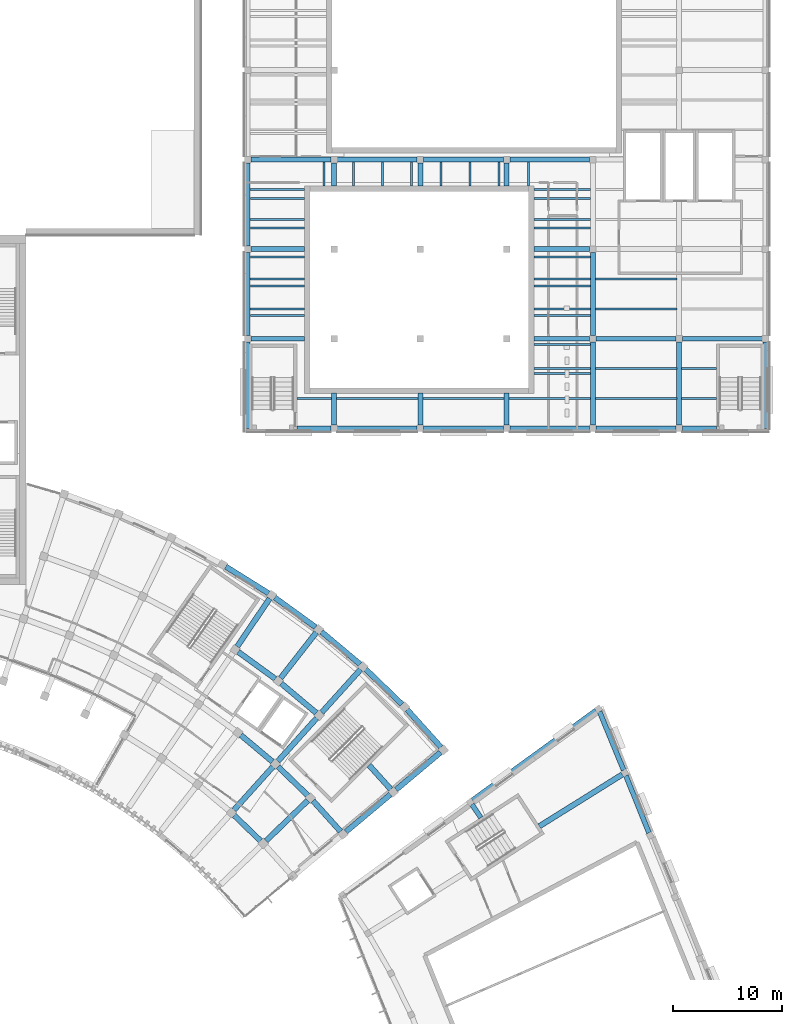
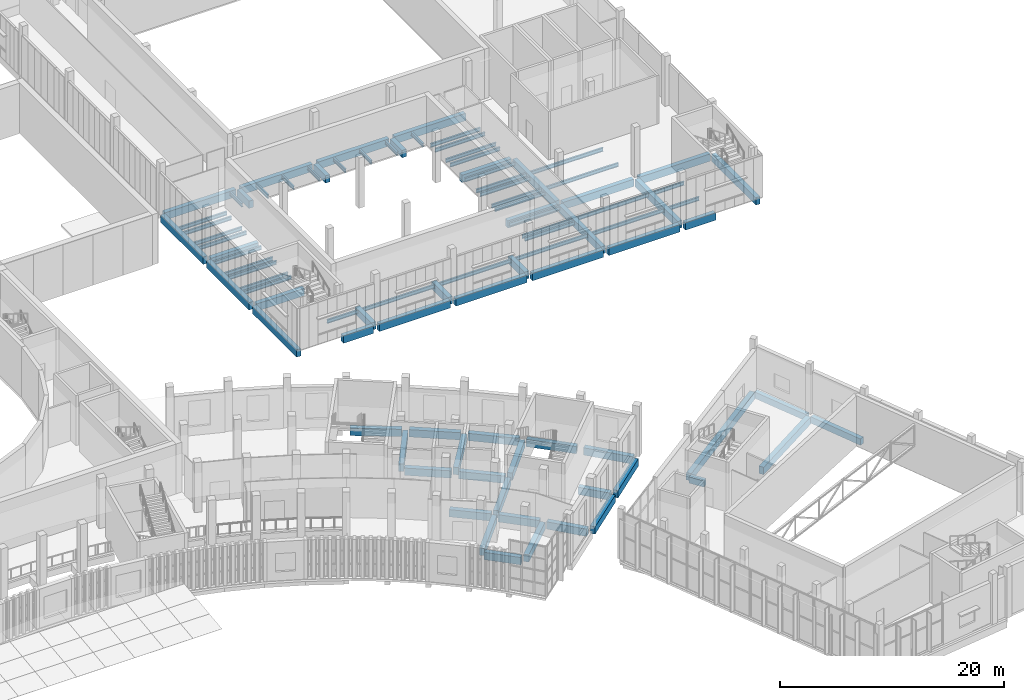
# One storey, part 28 of 112: 93 beams.
"""IFC4 building model written with IfcOpenShell, lengths in metres."""

import ifcopenshell
import ifcopenshell.guid

model = None  # the IFC model being written
_history = None  # IfcOwnerHistory: only IFC2X3 demands one
_inside = {}  # id of a spatial element -> (the spatial element, [elements in it])
_under = {}  # id of a project, library or spatial element -> (it, [spatial elements below it])
_declared = {}  # id of a project -> (the project, [libraries it declares])
_typed = {}  # id of a type object -> (the type object, [elements of that type])
_made_of = {}  # id of a material, layer set ... -> (it, [elements and type objects made of it])


def new_model(schema):
    """Start an empty IFC model of exactly this schema.

    Asked for "IFC4X3", IfcOpenShell would pick the latest addendum, in which some entities
    have other attributes; the version numbers below select the first issue.
    IFC2X3 requires an IfcOwnerHistory on every rooted entity: one is made here for all.
    """
    global model, _history
    if schema == "IFC4X3":
        model = ifcopenshell.file(schema_version=(4, 3, 0, 0))
    else:
        model = ifcopenshell.file(schema=schema)
    _inside.clear()
    _under.clear()
    _declared.clear()
    _typed.clear()
    _made_of.clear()
    _history = None
    if model.schema == "IFC2X3":
        org = make("IfcOrganization", Name="unknown")
        user = make(
            "IfcPersonAndOrganization",
            ThePerson=make("IfcPerson", FamilyName="unknown"),
            TheOrganization=org,
        )
        app = make(
            "IfcApplication",
            ApplicationDeveloper=org,
            Version="unknown",
            ApplicationFullName="unknown",
            ApplicationIdentifier="unknown",
        )
        _history = make(
            "IfcOwnerHistory",
            OwningUser=user,
            OwningApplication=app,
            ChangeAction="ADDED",
            CreationDate=0,
        )
    return model


def make(cls, **values):
    """One entity of the class cls with the attributes given. An attribute that is None is left unset."""
    return model.create_entity(
        cls, **{name: value for name, value in values.items() if value is not None}
    )


def rooted(cls, **values):
    """An entity with a GlobalId (a new one), such as an element, a storey or a relation."""
    return make(cls, GlobalId=ifcopenshell.guid.new(), OwnerHistory=_history, **values)


def si_unit(unit_type, name, prefix=None):
    """IfcSIUnit, for example si_unit("LENGTHUNIT", "METRE", prefix="MILLI")."""
    return make("IfcSIUnit", UnitType=unit_type, Prefix=prefix, Name=name)


def assignment(units):
    """IfcUnitAssignment: the units of a project."""
    return None if units is None else make("IfcUnitAssignment", Units=units)


def point(xyz):
    """IfcCartesianPoint."""
    return None if xyz is None else make("IfcCartesianPoint", Coordinates=xyz)


def direction(xyz):
    """IfcDirection."""
    return None if xyz is None else make("IfcDirection", DirectionRatios=xyz)


def frame(location, z_axis=None, x_axis=None):
    """IfcAxis2Placement3D, a coordinate frame: its origin and axes. An axis left out is left unset."""
    return make(
        "IfcAxis2Placement3D",
        Location=point(location),
        Axis=direction(z_axis),
        RefDirection=direction(x_axis),
    )


def frame_2d(location, x_axis=None):
    """IfcAxis2Placement2D, a coordinate frame in the plane: its origin and x axis."""
    return make(
        "IfcAxis2Placement2D", Location=point(location), RefDirection=direction(x_axis)
    )


def origin():
    """The frame at (0, 0, 0) with its axes left unset."""
    return frame((0.0, 0.0, 0.0))


def origin_2d():
    """The frame at (0, 0) in the plane with its x axis left unset."""
    return frame_2d((0.0, 0.0))


def place(relative_to, where):
    """IfcLocalPlacement: puts the frame where relative to a parent placement (None: the world)."""
    return make(
        "IfcLocalPlacement", PlacementRelTo=relative_to, RelativePlacement=where
    )


def context(
    kind, dimensions, precision=None, world=None, true_north=None, identifier=None
):
    """IfcGeometricRepresentationContext, for example the 3D "Model" context."""
    return make(
        "IfcGeometricRepresentationContext",
        ContextIdentifier=identifier,
        ContextType=kind,
        CoordinateSpaceDimension=dimensions,
        Precision=precision,
        WorldCoordinateSystem=world,
        TrueNorth=true_north,
    )


def subcontext(parent, identifier, kind, view, scale=None):
    """IfcGeometricRepresentationSubContext, for example "Body" below "Model"."""
    return make(
        "IfcGeometricRepresentationSubContext",
        ContextIdentifier=identifier,
        ContextType=kind,
        ParentContext=parent,
        TargetScale=scale,
        TargetView=view,
    )


def project(units=None, contexts=None):
    """IfcProject with its units and contexts."""
    return rooted(
        "IfcProject",
        Name="project",
        RepresentationContexts=contexts,
        UnitsInContext=assignment(units),
    )


def spatial(cls, under=None, at=None, **own):
    """A site, building, storey or space (cls), placed at a placement, below another one or the project."""
    s = rooted(cls, ObjectPlacement=at, **own)
    if under is not None:
        _under.setdefault(under.id(), (under, []))[1].append(s)
    return s


def profile(cls, at=None, kind="AREA", **sizes):
    """A parametric profile (cls). Its sizes go by their IFC names, for example OverallWidth=200.0."""
    return make(cls, ProfileType=kind, Position=at, **sizes)


def rectangle(**sizes):
    """IfcRectangleProfileDef."""
    return profile("IfcRectangleProfileDef", **sizes)


def i_section(**sizes):
    """IfcIShapeProfileDef."""
    return profile("IfcIShapeProfileDef", **sizes)


def extrude(swept, where, along, depth):
    """IfcExtrudedAreaSolid: the profile swept, set in the frame where, extruded along a direction by depth."""
    return make(
        "IfcExtrudedAreaSolid",
        SweptArea=swept,
        Position=where,
        ExtrudedDirection=direction(along),
        Depth=depth,
    )


def shape(context_of_items, identifier, shape_type, items):
    """IfcShapeRepresentation: the items that make up one representation, for example the "Body"."""
    return make(
        "IfcShapeRepresentation",
        ContextOfItems=context_of_items,
        RepresentationIdentifier=identifier,
        RepresentationType=shape_type,
        Items=items,
    )


def material(Name=None, Category=None):
    """IfcMaterial."""
    return make("IfcMaterial", Name=Name, Category=Category)


def material_profile(
    of_material, cross_section, Name=None, Category=None, Priority=None
):
    """IfcMaterialProfile: a cross section and its material."""
    return make(
        "IfcMaterialProfile",
        Name=Name,
        Material=of_material,
        Profile=cross_section,
        Priority=Priority,
        Category=Category,
    )


def profile_set(profiles, Name=None, composite=None):
    """IfcMaterialProfileSet."""
    return make(
        "IfcMaterialProfileSet",
        Name=Name,
        MaterialProfiles=profiles,
        CompositeProfile=composite,
    )


def made_of(thing, what):
    """Note that an element or type object is made of a material, layer set ...; save() writes the relation."""
    if what is not None:
        _made_of.setdefault(what.id(), (what, []))[1].append(thing)
    return thing


def type_object(cls, material=None, **own):
    """A type object (cls), such as IfcWallType, which elements share."""
    return made_of(rooted(cls, **own), material)


def element(
    cls,
    number,
    at=None,
    inside=None,
    cuts=None,
    type_object=None,
    material=None,
    context=None,
    identifier="Body",
    shape_type=None,
    held_by="IfcProductDefinitionShape",
    body=None,
    shapes=None,
    **own,
):
    """One element of the class cls, such as IfcWall. Its Tag is "e" and its number.

    at: its placement. inside: the storey or other place that contains it. cuts: it is an
    opening in that element (IfcRelVoidsElement). A single representation is given by context,
    identifier, shape_type and body (its items); several are given by shapes. held_by: the class
    of the entity that holds the representations. save() writes the other relations.
    """
    e = rooted(cls, Tag="e%d" % number, ObjectPlacement=at, **own)
    if body is not None:
        shapes = [shape(context, identifier, shape_type, body)]
    if shapes is not None:
        e.Representation = make(held_by, Representations=shapes)
    if inside is not None:
        _inside.setdefault(inside.id(), (inside, []))[1].append(e)
    if cuts is not None:
        rooted(
            "IfcRelVoidsElement", RelatingBuildingElement=cuts, RelatedOpeningElement=e
        )
    if type_object is not None:
        _typed.setdefault(type_object.id(), (type_object, []))[1].append(e)
    return made_of(e, material)


def aggregate(whole, parts):
    """IfcRelAggregates: a whole, such as a stair, and the parts it consists of."""
    return rooted("IfcRelAggregates", RelatingObject=whole, RelatedObjects=parts)


def save(model, path):
    """Write the relations noted so far, then the file.

    IfcRelAggregates (storeys below a building ...), IfcRelContainedInSpatialStructure (elements
    in a storey), IfcRelDefinesByType, IfcRelAssociatesMaterial and IfcRelDeclares: one each for
    every whole, place, type object, material and project.
    """
    for whole, parts in _under.values():
        aggregate(whole, parts)
    for where, things in _inside.values():
        rooted(
            "IfcRelContainedInSpatialStructure",
            RelatedElements=things,
            RelatingStructure=where,
        )
    for kind, things in _typed.values():
        rooted("IfcRelDefinesByType", RelatedObjects=things, RelatingType=kind)
    for what, things in _made_of.values():
        rooted("IfcRelAssociatesMaterial", RelatedObjects=things, RelatingMaterial=what)
    for by, libraries in _declared.values():
        rooted("IfcRelDeclares", RelatingContext=by, RelatedDefinitions=libraries)
    model.write(path)


model = new_model("IFC4")

# Units and contexts
model_context = context("Model", 3, precision=1e-05, world=origin(), true_north=direction((0.0, 1.0)))
body_context = subcontext(model_context, "Body", "Model", "MODEL_VIEW")
ifc_project = project(units=[si_unit("LENGTHUNIT", "METRE"), si_unit("AREAUNIT", "SQUARE_METRE"), si_unit("VOLUMEUNIT", "CUBIC_METRE"), si_unit("PLANEANGLEUNIT", "RADIAN"), si_unit("MASSUNIT", "GRAM", prefix="KILO")], contexts=[model_context])

# Site, building, storey
site_placement = place(None, origin())
site = spatial("IfcSite", under=ifc_project, at=site_placement, CompositionType="ELEMENT")
building_placement = place(site_placement, origin())
building = spatial("IfcBuilding", under=site, at=building_placement, Name="Lunette Opera House", CompositionType="ELEMENT")
storey_placement = place(building_placement, frame((0.0, 0.0, 6.0)))
storey = spatial("IfcBuildingStorey", under=building, at=storey_placement, Name="L01", CompositionType="ELEMENT", Elevation=6.0)

# Beams
ifc_material_1 = material(Name="Concrete C35/45", Category="concrete")
ifc_material_profile_1 = material_profile(ifc_material_1, rectangle(XDim=0.449951171875, YDim=0.699951171875, at=origin_2d()), Name="RC BEAM 450X700")
ifc_profile_set_1 = profile_set([ifc_material_profile_1], Name="Concrete C35/45")
beam_type_1 = type_object("IfcBeamType", Name="RC BEAM 450X700", PredefinedType="BEAM", material=ifc_profile_set_1)
beam_1_placement = place(storey_placement, frame((156.823974609375, 43.864013671875, -0.570068359375), z_axis=(0.559555526977, -0.82879286449, 0.0), x_axis=(0.82879286449, 0.559555526977, 0.0)))
element("IfcBeam", 1, at=beam_1_placement, inside=storey, type_object=beam_type_1, Name="beam-SB-L01-L01-RG10", PredefinedType="BEAM", context=body_context, shape_type="SweptSolid", body=[
    extrude(rectangle(XDim=0.449951171875, YDim=0.699951171875, at=origin_2d()), origin(), (0.0, 0.0, 1.0), 1.470703125),
])
beam_2_placement = place(storey_placement, frame((168.508056640625, 52.362060546875, -0.570068359375), z_axis=(0.380730757581, -0.924685941405, 0.0), x_axis=(0.924685941405, 0.380730757581, 0.0)))
element("IfcBeam", 2, at=beam_2_placement, inside=storey, type_object=beam_type_1, Name="beam-SB-L01-L01-RG20", PredefinedType="BEAM", context=body_context, shape_type="SweptSolid", body=[
    extrude(rectangle(XDim=0.449951171875, YDim=0.699951171875, at=origin_2d()), origin(), (0.0, 0.0, 1.0), 5.802001953125),
])
beam_3_placement = place(storey_placement, frame((170.91796875, 46.506103515625, -0.570068359375), z_axis=(0.373792337648, -0.927512419494, 0.0), x_axis=(0.927512419494, 0.373792337648, 0.0)))
element("IfcBeam", 3, at=beam_3_placement, inside=storey, type_object=beam_type_1, Name="beam-SB-L01-L01-RG21", PredefinedType="BEAM", context=body_context, shape_type="SweptSolid", body=[
    extrude(rectangle(XDim=0.449951171875, YDim=0.699951171875, at=origin_2d()), origin(), (0.0, 0.0, 1.0), 5.658203125),
])
ifc_material_2 = material(Name="Concrete C35/45", Category="concrete")
ifc_material_profile_2 = material_profile(ifc_material_2, rectangle(XDim=0.449951171875, YDim=0.800048828125, at=origin_2d()), Name="RC BEAM 450X800")
ifc_profile_set_2 = profile_set([ifc_material_profile_2], Name="Concrete C35/45")
beam_type_2 = type_object("IfcBeamType", Name="RC BEAM 450X800", PredefinedType="BEAM", material=ifc_profile_set_2)
beam_4_placement = place(storey_placement, frame((136.300048828125, 78.300048828125, -0.550048828125), z_axis=(0.0, 1.0, 0.0), x_axis=(-1.0, 0.0, 0.0)))
element("IfcBeam", 4, at=beam_4_placement, inside=storey, type_object=beam_type_2, Name="beam-WW-L01-L01-GY00", PredefinedType="BEAM", context=body_context, shape_type="SweptSolid", body=[
    extrude(rectangle(XDim=0.449951171875, YDim=0.800048828125, at=origin_2d()), origin(), (0.0, 0.0, 1.0), 7.909912109375),
])
beam_5_placement = place(storey_placement, frame((136.300048828125, 86.7900390625, -0.550048828125), z_axis=(0.0, 1.0, 0.0), x_axis=(-1.0, 0.0, 0.0)))
element("IfcBeam", 5, at=beam_5_placement, inside=storey, type_object=beam_type_2, Name="beam-WW-L01-L01-GY01", PredefinedType="BEAM", context=body_context, shape_type="SweptSolid", body=[
    extrude(rectangle(XDim=0.449951171875, YDim=0.800048828125, at=origin_2d()), origin(), (0.0, 0.0, 1.0), 7.619873046875),
])
beam_6_placement = place(storey_placement, frame((136.300048828125, 94.989990234375, -0.550048828125), z_axis=(0.0, 1.0, 0.0), x_axis=(-1.0, 0.0, 0.0)))
element("IfcBeam", 6, at=beam_6_placement, inside=storey, type_object=beam_type_2, Name="beam-WW-L01-L01-GY02", PredefinedType="BEAM", context=body_context, shape_type="SweptSolid", body=[
    extrude(rectangle(XDim=0.449951171875, YDim=0.800048828125, at=origin_2d()), origin(), (0.0, 0.0, 1.0), 7.6201171875),
])
beam_7_placement = place(storey_placement, frame((144.199951171875, 78.590087890625, -0.550048828125), z_axis=(0.0, 1.0, 0.0), x_axis=(-1.0, 0.0, 0.0)))
element("IfcBeam", 7, at=beam_7_placement, inside=storey, type_object=beam_type_2, Name="beam-WW-L01-L01-GY10", PredefinedType="BEAM", context=body_context, shape_type="SweptSolid", body=[
    extrude(rectangle(XDim=0.449951171875, YDim=0.800048828125, at=origin_2d()), origin(), (0.0, 0.0, 1.0), 2.919921875),
])
beam_8_placement = place(storey_placement, frame((144.199951171875, 100.489990234375, -0.550048828125), z_axis=(0.0, 1.0, 0.0), x_axis=(-1.0, 0.0, 0.0)))
element("IfcBeam", 8, at=beam_8_placement, inside=storey, type_object=beam_type_2, Name="beam-WW-L01-L01-GY12", PredefinedType="BEAM", context=body_context, shape_type="SweptSolid", body=[
    extrude(rectangle(XDim=0.449951171875, YDim=0.800048828125, at=origin_2d()), origin(), (0.0, 0.0, 1.0), 2.1201171875),
])
beam_9_placement = place(storey_placement, frame((152.10009765625, 78.590087890625, -0.550048828125), z_axis=(0.0, 1.0, 0.0), x_axis=(-1.0, 0.0, 0.0)))
element("IfcBeam", 9, at=beam_9_placement, inside=storey, type_object=beam_type_2, Name="beam-WW-L01-L01-GY20", PredefinedType="BEAM", context=body_context, shape_type="SweptSolid", body=[
    extrude(rectangle(XDim=0.449951171875, YDim=0.800048828125, at=origin_2d()), origin(), (0.0, 0.0, 1.0), 2.919921875),
])
beam_10_placement = place(storey_placement, frame((152.10009765625, 100.489990234375, -0.550048828125), z_axis=(0.0, 1.0, 0.0), x_axis=(-1.0, 0.0, 0.0)))
element("IfcBeam", 10, at=beam_10_placement, inside=storey, type_object=beam_type_2, Name="beam-WW-L01-L01-GY22", PredefinedType="BEAM", context=body_context, shape_type="SweptSolid", body=[
    extrude(rectangle(XDim=0.449951171875, YDim=0.800048828125, at=origin_2d()), origin(), (0.0, 0.0, 1.0), 2.1201171875),
])
beam_11_placement = place(storey_placement, frame((160.0, 78.590087890625, -0.550048828125), z_axis=(0.0, 1.0, 0.0), x_axis=(-1.0, 0.0, 0.0)))
element("IfcBeam", 11, at=beam_11_placement, inside=storey, type_object=beam_type_2, Name="beam-WW-L01-L01-GY30", PredefinedType="BEAM", context=body_context, shape_type="SweptSolid", body=[
    extrude(rectangle(XDim=0.449951171875, YDim=0.800048828125, at=origin_2d()), origin(), (0.0, 0.0, 1.0), 2.919921875),
])
beam_12_placement = place(storey_placement, frame((160.0, 100.489990234375, -0.550048828125), z_axis=(0.0, 1.0, 0.0), x_axis=(-1.0, 0.0, 0.0)))
element("IfcBeam", 12, at=beam_12_placement, inside=storey, type_object=beam_type_2, Name="beam-WW-L01-L01-GY32", PredefinedType="BEAM", context=body_context, shape_type="SweptSolid", body=[
    extrude(rectangle(XDim=0.449951171875, YDim=0.800048828125, at=origin_2d()), origin(), (0.0, 0.0, 1.0), 2.1201171875),
])
for number, where, z_axis, x_axis, name in (
    (13, (167.89990234375, 78.590087890625, -0.550048828125), (0.0, 1.0, 0.0), (-1.0, 0.0, 0.0), "beam-WW-L01-L01-GY40"),
    (14, (167.89990234375, 86.7900390625, -0.550048828125), (0.0, 1.0, 0.0), (-1.0, 0.0, 0.0), "beam-WW-L01-L01-GY41"),
    (15, (175.800048828125, 78.590087890625, -0.550048828125), (0.0, 1.0, 0.0), (-1.0, 0.0, 0.0), "beam-WW-L01-L01-GY50"),
):
    element("IfcBeam", number, at=place(storey_placement, frame(where, z_axis=z_axis, x_axis=x_axis)), inside=storey, type_object=beam_type_2, Name=name, PredefinedType="BEAM", context=body_context, shape_type="SweptSolid", body=[
        extrude(rectangle(XDim=0.449951171875, YDim=0.800048828125, at=origin_2d()), origin(), (0.0, 0.0, 1.0), 7.619873046875),
    ])
beam_13_placement = place(storey_placement, frame((183.699951171875, 78.300048828125, -0.550048828125), z_axis=(0.0, 1.0, 0.0), x_axis=(-1.0, 0.0, 0.0)))
element("IfcBeam", 16, at=beam_13_placement, inside=storey, type_object=beam_type_2, Name="beam-WW-L01-L01-GY60", PredefinedType="BEAM", context=body_context, shape_type="SweptSolid", body=[
    extrude(rectangle(XDim=0.449951171875, YDim=0.800048828125, at=origin_2d()), origin(), (0.0, 0.0, 1.0), 7.909912109375),
])
beam_14_placement = place(storey_placement, frame((140.7900390625, 78.300048828125, -0.550048828125), z_axis=(1.0, 0.0, 0.0), x_axis=(0.0, 1.0, 0.0)))
element("IfcBeam", 17, at=beam_14_placement, inside=storey, type_object=beam_type_2, Name="beam-WW-L01-L01-GX00", PredefinedType="BEAM", context=body_context, shape_type="SweptSolid", body=[
    extrude(rectangle(XDim=0.449951171875, YDim=0.800048828125, at=origin_2d()), origin(), (0.0, 0.0, 1.0), 3.119873046875),
])
for number, where, z_axis, x_axis, name in (
    (18, (144.489990234375, 78.300048828125, -0.550048828125), (1.0, 0.0, 0.0), (0.0, 1.0, 0.0), "beam-WW-L01-L01-GX10"),
    (19, (152.389892578125, 78.300048828125, -0.550048828125), (1.0, 0.0, 0.0), (0.0, 1.0, 0.0), "beam-WW-L01-L01-GX20"),
    (20, (160.2900390625, 78.300048828125, -0.550048828125), (1.0, 0.0, 0.0), (0.0, 1.0, 0.0), "beam-WW-L01-L01-GX30"),
    (21, (168.18994140625, 78.300048828125, -0.550048828125), (1.0, 0.0, 0.0), (0.0, 1.0, 0.0), "beam-WW-L01-L01-GX40"),
):
    element("IfcBeam", number, at=place(storey_placement, frame(where, z_axis=z_axis, x_axis=x_axis)), inside=storey, type_object=beam_type_2, Name=name, PredefinedType="BEAM", context=body_context, shape_type="SweptSolid", body=[
        extrude(rectangle(XDim=0.449951171875, YDim=0.800048828125, at=origin_2d()), origin(), (0.0, 0.0, 1.0), 7.320068359375),
    ])
beam_15_placement = place(storey_placement, frame((176.090087890625, 78.300048828125, -0.550048828125), z_axis=(1.0, 0.0, 0.0), x_axis=(0.0, 1.0, 0.0)))
element("IfcBeam", 22, at=beam_15_placement, inside=storey, type_object=beam_type_2, Name="beam-WW-L01-L01-GX50", PredefinedType="BEAM", context=body_context, shape_type="SweptSolid", body=[
    extrude(rectangle(XDim=0.449951171875, YDim=0.800048828125, at=origin_2d()), origin(), (0.0, 0.0, 1.0), 3.119873046875),
])
beam_16_placement = place(storey_placement, frame((136.590087890625, 86.5, -0.550048828125), z_axis=(1.0, 0.0, 0.0), x_axis=(0.0, 1.0, 0.0)))
element("IfcBeam", 23, at=beam_16_placement, inside=storey, type_object=beam_type_2, Name="beam-WW-L01-L01-GX01", PredefinedType="BEAM", context=body_context, shape_type="SweptSolid", body=[
    extrude(rectangle(XDim=0.449951171875, YDim=0.800048828125, at=origin_2d()), origin(), (0.0, 0.0, 1.0), 4.919921875),
])
beam_17_placement = place(storey_placement, frame((162.489990234375, 86.5, -0.550048828125), z_axis=(1.0, 0.0, 0.0), x_axis=(0.0, 1.0, 0.0)))
element("IfcBeam", 24, at=beam_17_placement, inside=storey, type_object=beam_type_2, Name="beam-WW-L01-L01-GX31", PredefinedType="BEAM", context=body_context, shape_type="SweptSolid", body=[
    extrude(rectangle(XDim=0.449951171875, YDim=0.800048828125, at=origin_2d()), origin(), (0.0, 0.0, 1.0), 5.1201171875),
])
beam_18_placement = place(storey_placement, frame((168.18994140625, 86.5, -0.550048828125), z_axis=(1.0, 0.0, 0.0), x_axis=(0.0, 1.0, 0.0)))
element("IfcBeam", 25, at=beam_18_placement, inside=storey, type_object=beam_type_2, Name="beam-WW-L01-L01-GX41", PredefinedType="BEAM", context=body_context, shape_type="SweptSolid", body=[
    extrude(rectangle(XDim=0.449951171875, YDim=0.800048828125, at=origin_2d()), origin(), (0.0, 0.0, 1.0), 7.320068359375),
])
beam_19_placement = place(storey_placement, frame((176.090087890625, 86.5, -0.550048828125), z_axis=(1.0, 0.0, 0.0), x_axis=(0.0, 1.0, 0.0)))
element("IfcBeam", 26, at=beam_19_placement, inside=storey, type_object=beam_type_2, Name="beam-WW-L01-L01-GX51", PredefinedType="BEAM", context=body_context, shape_type="SweptSolid", body=[
    extrude(rectangle(XDim=0.449951171875, YDim=0.800048828125, at=origin_2d()), origin(), (0.0, 0.0, 1.0), 7.31982421875),
])
beam_20_placement = place(storey_placement, frame((136.590087890625, 94.699951171875, -0.550048828125), z_axis=(1.0, 0.0, 0.0), x_axis=(0.0, 1.0, 0.0)))
element("IfcBeam", 27, at=beam_20_placement, inside=storey, type_object=beam_type_2, Name="beam-WW-L01-L01-GX02", PredefinedType="BEAM", context=body_context, shape_type="SweptSolid", body=[
    extrude(rectangle(XDim=0.449951171875, YDim=0.800048828125, at=origin_2d()), origin(), (0.0, 0.0, 1.0), 4.919921875),
])
beam_21_placement = place(storey_placement, frame((162.489990234375, 94.699951171875, -0.550048828125), z_axis=(1.0, 0.0, 0.0), x_axis=(0.0, 1.0, 0.0)))
element("IfcBeam", 28, at=beam_21_placement, inside=storey, type_object=beam_type_2, Name="beam-WW-L01-L01-GX32", PredefinedType="BEAM", context=body_context, shape_type="SweptSolid", body=[
    extrude(rectangle(XDim=0.449951171875, YDim=0.800048828125, at=origin_2d()), origin(), (0.0, 0.0, 1.0), 5.1201171875),
])
beam_22_placement = place(storey_placement, frame((136.590087890625, 102.89990234375, -0.550048828125), z_axis=(1.0, 0.0, 0.0), x_axis=(0.0, 1.0, 0.0)))
element("IfcBeam", 29, at=beam_22_placement, inside=storey, type_object=beam_type_2, Name="beam-WW-L01-L01-GX03", PredefinedType="BEAM", context=body_context, shape_type="SweptSolid", body=[
    extrude(rectangle(XDim=0.449951171875, YDim=0.800048828125, at=origin_2d()), origin(), (0.0, 0.0, 1.0), 7.31982421875),
])
for number, where, z_axis, x_axis, name in (
    (30, (144.489990234375, 102.89990234375, -0.550048828125), (1.0, 0.0, 0.0), (0.0, 1.0, 0.0), "beam-WW-L01-L01-GX13"),
    (31, (152.389892578125, 102.89990234375, -0.550048828125), (1.0, 0.0, 0.0), (0.0, 1.0, 0.0), "beam-WW-L01-L01-GX23"),
    (32, (160.2900390625, 102.89990234375, -0.550048828125), (1.0, 0.0, 0.0), (0.0, 1.0, 0.0), "beam-WW-L01-L01-GX33"),
):
    element("IfcBeam", number, at=place(storey_placement, frame(where, z_axis=z_axis, x_axis=x_axis)), inside=storey, type_object=beam_type_2, Name=name, PredefinedType="BEAM", context=body_context, shape_type="SweptSolid", body=[
        extrude(rectangle(XDim=0.449951171875, YDim=0.800048828125, at=origin_2d()), origin(), (0.0, 0.0, 1.0), 7.320068359375),
    ])
ifc_material_3 = material(Name="Concrete C35/45", Category="concrete")
ifc_material_profile_3 = material_profile(ifc_material_3, rectangle(XDim=0.5, YDim=0.800048828125, at=origin_2d()), Name="RC BEAM 500X800")
ifc_profile_set_3 = profile_set([ifc_material_profile_3], Name="Concrete C35/45")
beam_type_3 = type_object("IfcBeamType", Name="RC BEAM 500X800", PredefinedType="BEAM", material=ifc_profile_set_3)
for number, where, z_axis, x_axis, name in (
    (33, (135.333984375, 58.31494140625, -0.6201171875), (0.559245834689, 0.829001867539, 0.0), (-0.829001867539, 0.559245834689, 0.0), "beam-FC-L01-L01-RB-RL-22-4"),
    (34, (139.305908203125, 55.428955078125, -0.6201171875), (0.615648494847, 0.788020894896, 0.0), (-0.788020894896, 0.615648494847, 0.0), "beam-FC-L01-L01-RB-RL-23-4"),
):
    element("IfcBeam", number, at=place(storey_placement, frame(where, z_axis=z_axis, x_axis=x_axis)), inside=storey, type_object=beam_type_3, Name=name, PredefinedType="BEAM", context=body_context, shape_type="SweptSolid", body=[
        extrude(rectangle(XDim=0.5, YDim=0.800048828125, at=origin_2d()), origin(), (0.0, 0.0, 1.0), 5.31982421875),
    ])
beam_23_placement = place(storey_placement, frame((135.037109375, 43.35498046875, -0.6201171875), z_axis=(0.669081342806, 0.743189179623, 0.0), x_axis=(-0.743189179623, 0.669081342806, 0.0)))
element("IfcBeam", 35, at=beam_23_placement, inside=storey, type_object=beam_type_3, Name="beam-FC-L01-L01-RB-RL-24-2", PredefinedType="BEAM", context=body_context, shape_type="SweptSolid", body=[
    extrude(rectangle(XDim=0.5, YDim=0.800048828125, at=origin_2d()), origin(), (0.0, 0.0, 1.0), 5.320556640625),
])
beam_24_placement = place(storey_placement, frame((139.052001953125, 47.81396484375, -0.6201171875), z_axis=(0.66919796217, 0.743084172505, 0.0), x_axis=(-0.743084172505, 0.66919796217, 0.0)))
element("IfcBeam", 36, at=beam_24_placement, inside=storey, type_object=beam_type_3, Name="beam-FC-L01-L01-RB-RL-24-3", PredefinedType="BEAM", context=body_context, shape_type="SweptSolid", body=[
    extrude(rectangle(XDim=0.5, YDim=0.800048828125, at=origin_2d()), origin(), (0.0, 0.0, 1.0), 5.31982421875),
])
beam_25_placement = place(storey_placement, frame((143.06689453125, 52.27294921875, -0.6201171875), z_axis=(0.669096581874, 0.743175459851, 0.0), x_axis=(-0.743175459851, 0.669096581874, 0.0)))
element("IfcBeam", 37, at=beam_25_placement, inside=storey, type_object=beam_type_3, Name="beam-FC-L01-L01-RB-RL-24-4", PredefinedType="BEAM", context=body_context, shape_type="SweptSolid", body=[
    extrude(rectangle(XDim=0.5, YDim=0.800048828125, at=origin_2d()), origin(), (0.0, 0.0, 1.0), 5.3193359375),
])
beam_26_placement = place(storey_placement, frame((137.966064453125, 40.52587890625, -0.6201171875), z_axis=(0.719297872313, 0.694701785579, 0.0), x_axis=(-0.694701785579, 0.719297872313, 0.0)))
element("IfcBeam", 38, at=beam_26_placement, inside=storey, type_object=beam_type_3, Name="beam-FC-L01-L01-RB-RL-25-2", PredefinedType="BEAM", context=body_context, shape_type="SweptSolid", body=[
    extrude(rectangle(XDim=0.5, YDim=0.800048828125, at=origin_2d()), origin(), (0.0, 0.0, 1.0), 5.3203125),
])
beam_27_placement = place(storey_placement, frame((145.287109375, 41.35693359375, -0.6201171875), z_axis=(0.76603920911, 0.642793847285, 0.0), x_axis=(-0.642793847285, 0.76603920911, 0.0)))
element("IfcBeam", 39, at=beam_27_placement, inside=storey, type_object=beam_type_3, Name="beam-FC-L01-L01-RB-RL-26-3", PredefinedType="BEAM", context=body_context, shape_type="SweptSolid", body=[
    extrude(rectangle(XDim=0.5, YDim=0.800048828125, at=origin_2d()), origin(), (0.0, 0.0, 1.0), 5.32080078125),
])
beam_28_placement = place(storey_placement, frame((149.884033203125, 45.214111328125, -0.6201171875), z_axis=(0.766076352309, 0.642749579878, 0.0), x_axis=(-0.642749579878, 0.766076352309, 0.0)))
element("IfcBeam", 40, at=beam_28_placement, inside=storey, type_object=beam_type_3, Name="beam-FC-L01-L01-RB-RL-26-4", PredefinedType="BEAM", context=body_context, shape_type="SweptSolid", body=[
    extrude(rectangle(XDim=0.5, YDim=0.800048828125, at=origin_2d()), origin(), (0.0, 0.0, 1.0), 5.3193359375),
])
beam_29_placement = place(storey_placement, frame((135.054931640625, 42.865966796875, -0.6201171875), z_axis=(0.719180338661, -0.69482345994, 0.0), x_axis=(0.69482345994, 0.719180338661, 0.0)))
element("IfcBeam", 41, at=beam_29_placement, inside=storey, type_object=beam_type_3, Name="beam-FC-L01-L01-RG-AR-M1-RL-24", PredefinedType="BEAM", context=body_context, shape_type="SweptSolid", body=[
    extrude(rectangle(XDim=0.5, YDim=0.800048828125, at=origin_2d()), origin(), (0.0, 0.0, 1.0), 3.367919921875),
])
beam_30_placement = place(storey_placement, frame((135.6630859375, 50.214111328125, -0.6201171875), z_axis=(0.76594363351, -0.642907730771, 0.0), x_axis=(0.642907730771, 0.76594363351, 0.0)))
element("IfcBeam", 42, at=beam_30_placement, inside=storey, type_object=beam_type_3, Name="beam-FC-L01-L01-RG-AR-B-RL-23", PredefinedType="BEAM", context=body_context, shape_type="SweptSolid", body=[
    extrude(rectangle(XDim=0.5, YDim=0.800048828125, at=origin_2d()), origin(), (0.0, 0.0, 1.0), 3.7861328125),
])
beam_31_placement = place(storey_placement, frame((139.069091796875, 47.324951171875, -0.6201171875), z_axis=(0.719281477896, -0.694718760043, 0.0), x_axis=(0.694718760043, 0.719281477896, 0.0)))
element("IfcBeam", 43, at=beam_31_placement, inside=storey, type_object=beam_type_3, Name="beam-FC-L01-L01-RG-AR-B-RL-24", PredefinedType="BEAM", context=body_context, shape_type="SweptSolid", body=[
    extrude(rectangle(XDim=0.5, YDim=0.800048828125, at=origin_2d()), origin(), (0.0, 0.0, 1.0), 3.786865234375),
])
beam_32_placement = place(storey_placement, frame((142.26611328125, 44.205078125, -0.6201171875), z_axis=(0.669021732106, -0.743242841856, 0.0), x_axis=(0.743242841856, 0.669021732106, 0.0)))
element("IfcBeam", 44, at=beam_32_placement, inside=storey, type_object=beam_type_3, Name="beam-FC-L01-L01-RG-AR-B-RL-25", PredefinedType="BEAM", context=body_context, shape_type="SweptSolid", body=[
    extrude(rectangle(XDim=0.5, YDim=0.800048828125, at=origin_2d()), origin(), (0.0, 0.0, 1.0), 3.7861328125),
])
beam_33_placement = place(storey_placement, frame((135.4189453125, 57.8330078125, -0.6201171875), z_axis=(0.8089996052, -0.587809185694, 0.0), x_axis=(0.587809185694, 0.8089996052, 0.0)))
element("IfcBeam", 45, at=beam_33_placement, inside=storey, type_object=beam_type_3, Name="beam-FC-L01-L01-RG-AR-M2-RL-22", PredefinedType="BEAM", context=body_context, shape_type="SweptSolid", body=[
    extrude(rectangle(XDim=0.5, YDim=0.800048828125, at=origin_2d()), origin(), (0.0, 0.0, 1.0), 4.205322265625),
])
beam_34_placement = place(storey_placement, frame((139.35693359375, 54.94189453125, -0.6201171875), z_axis=(0.766022755014, -0.642813455678, 0.0), x_axis=(0.642813455678, 0.766022755014, 0.0)))
element("IfcBeam", 46, at=beam_34_placement, inside=storey, type_object=beam_type_3, Name="beam-FC-L01-L01-RG-AR-M2-RL-23", PredefinedType="BEAM", context=body_context, shape_type="SweptSolid", body=[
    extrude(rectangle(XDim=0.5, YDim=0.800048828125, at=origin_2d()), origin(), (0.0, 0.0, 1.0), 4.204833984375),
])
beam_35_placement = place(storey_placement, frame((147.405029296875, 47.458984375, -0.6201171875), z_axis=(0.6689919383, -0.743269659336, 0.0), x_axis=(0.743269659336, 0.6689919383, 0.0)))
element("IfcBeam", 47, at=beam_35_placement, inside=storey, type_object=beam_type_3, Name="beam-FC-L01-L01-RG-AR-M2-RL-25", PredefinedType="BEAM", context=body_context, shape_type="SweptSolid", body=[
    extrude(rectangle(XDim=0.5, YDim=0.800048828125, at=origin_2d()), origin(), (0.0, 0.0, 1.0), 2.974609375),
])
for number, where, z_axis, x_axis, name in (
    (48, (134.2890625, 65.637939453125, -0.6201171875), (0.847962706809, -0.530055891261, 0.0), (0.530055891261, 0.847962706809, 0.0), "beam-FC-L01-L01-RG-AR-C-RL-21"),
    (49, (138.77392578125, 62.806884765625, -0.6201171875), (0.809037359893, -0.58775722054, 0.0), (0.58775722054, 0.809037359893, 0.0), "beam-FC-L01-L01-RG-AR-C-RL-22"),
):
    element("IfcBeam", number, at=place(storey_placement, frame(where, z_axis=z_axis, x_axis=x_axis)), inside=storey, type_object=beam_type_3, Name=name, PredefinedType="BEAM", context=body_context, shape_type="SweptSolid", body=[
        extrude(rectangle(XDim=0.5, YDim=0.800048828125, at=origin_2d()), origin(), (0.0, 0.0, 1.0), 4.6240234375),
    ])
beam_36_placement = place(storey_placement, frame((143.051025390625, 59.669921875, -0.6201171875), z_axis=(0.766061536692, -0.64276723781, 0.0), x_axis=(0.64276723781, 0.766061536692, 0.0)))
element("IfcBeam", 50, at=beam_36_placement, inside=storey, type_object=beam_type_3, Name="beam-FC-L01-L01-RG-AR-C-RL-23", PredefinedType="BEAM", context=body_context, shape_type="SweptSolid", body=[
    extrude(rectangle(XDim=0.5, YDim=0.800048828125, at=origin_2d()), origin(), (0.0, 0.0, 1.0), 4.62353515625),
])
beam_37_placement = place(storey_placement, frame((147.09912109375, 56.242919921875, -0.6201171875), z_axis=(0.719223136798, -0.694779158794, 0.0), x_axis=(0.694779158794, 0.719223136798, 0.0)))
element("IfcBeam", 51, at=beam_37_placement, inside=storey, type_object=beam_type_3, Name="beam-FC-L01-L01-RG-AR-C-RL-24", PredefinedType="BEAM", context=body_context, shape_type="SweptSolid", body=[
    extrude(rectangle(XDim=0.5, YDim=0.800048828125, at=origin_2d()), origin(), (0.0, 0.0, 1.0), 4.624267578125),
])
beam_38_placement = place(storey_placement, frame((150.89794921875, 52.541015625, -0.6201171875), z_axis=(0.669034751379, -0.743231122496, 0.0), x_axis=(0.743231122496, 0.669034751379, 0.0)))
element("IfcBeam", 52, at=beam_38_placement, inside=storey, type_object=beam_type_3, Name="beam-FC-L01-L01-RG-AR-C-RL-25", PredefinedType="BEAM", context=body_context, shape_type="SweptSolid", body=[
    extrude(rectangle(XDim=0.5, YDim=0.800048828125, at=origin_2d()), origin(), (0.0, 0.0, 1.0), 4.623046875),
])
beam_39_placement = place(storey_placement, frame((156.89111328125, 44.239990234375, -0.6201171875), z_axis=(0.809032229307, 0.587764282636, 0.0), x_axis=(-0.587764282636, 0.809032229307, 0.0)))
element("IfcBeam", 53, at=beam_39_placement, inside=storey, type_object=beam_type_3, Name="beam-SB-L01-L01-RB10", PredefinedType="BEAM", context=body_context, shape_type="SweptSolid", body=[
    extrude(rectangle(XDim=0.5, YDim=0.800048828125, at=origin_2d()), origin(), (0.0, 0.0, 1.0), 13.9697265625),
])
beam_40_placement = place(storey_placement, frame((162.9970703125, 41.864990234375, -0.6201171875), z_axis=(0.848097816206, 0.529839687214, 0.0), x_axis=(-0.529839687214, 0.848097816206, 0.0)))
element("IfcBeam", 54, at=beam_40_placement, inside=storey, type_object=beam_type_3, Name="beam-SB-L01-L01-RB11", PredefinedType="BEAM", context=body_context, shape_type="SweptSolid", body=[
    extrude(rectangle(XDim=0.5, YDim=0.800048828125, at=origin_2d()), origin(), (0.0, 0.0, 1.0), 8.95751953125),
])
ifc_material_4 = material(Name="Steel S355", Category="steel")
ifc_material_profile_4 = material_profile(ifc_material_4, i_section(OverallWidth=0.179931640625, OverallDepth=0.39990234375, WebThickness=0.008544921875, FlangeThickness=0.013427734375, FilletRadius=0.02099609375, at=origin_2d()), Name="IPE 400")
ifc_profile_set_4 = profile_set([ifc_material_profile_4], Name="Steel S355")
beam_type_4 = type_object("IfcBeamType", Name="STEEL BEAM IPE 400", PredefinedType="BEAM", material=ifc_profile_set_4)
beam_41_placement = place(storey_placement, frame((140.800048828125, 81.032958984375, -0.35009765625), z_axis=(1.0, 0.0, 0.0), x_axis=(0.0, 1.0, 0.0)))
element("IfcBeam", 55, at=beam_41_placement, inside=storey, type_object=beam_type_4, Name="beam-WW-L01-L01-SX001", PredefinedType="BEAM", context=body_context, shape_type="SweptSolid", body=[
    extrude(i_section(OverallWidth=0.179931640625, OverallDepth=0.39990234375, WebThickness=0.008544921875, FlangeThickness=0.013427734375, FilletRadius=0.02099609375, at=origin_2d()), origin(), (0.0, 0.0, 1.0), 3.18505859375),
])
for number, where, z_axis, x_axis, name in (
    (56, (136.514892578125, 89.23291015625, -0.35009765625), (1.0, 0.0, 0.0), (0.0, 1.0, 0.0), "beam-WW-L01-L01-SX011"),
    (57, (136.514892578125, 91.967041015625, -0.35009765625), (1.0, 0.0, 0.0), (0.0, 1.0, 0.0), "beam-WW-L01-L01-SX012"),
    (58, (136.514892578125, 97.43310546875, -0.35009765625), (1.0, 0.0, 0.0), (0.0, 1.0, 0.0), "beam-WW-L01-L01-SX021"),
    (59, (136.514892578125, 100.1669921875, -0.35009765625), (1.0, 0.0, 0.0), (0.0, 1.0, 0.0), "beam-WW-L01-L01-SX022"),
):
    element("IfcBeam", number, at=place(storey_placement, frame(where, z_axis=z_axis, x_axis=x_axis)), inside=storey, type_object=beam_type_4, Name=name, PredefinedType="BEAM", context=body_context, shape_type="SweptSolid", body=[
        extrude(i_section(OverallWidth=0.179931640625, OverallDepth=0.39990234375, WebThickness=0.008544921875, FlangeThickness=0.013427734375, FilletRadius=0.02099609375, at=origin_2d()), origin(), (0.0, 0.0, 1.0), 4.985107421875),
    ])
for number, where, z_axis, x_axis, name in (
    (60, (144.4150390625, 81.032958984375, -0.35009765625), (1.0, 0.0, 0.0), (0.0, 1.0, 0.0), "beam-WW-L01-L01-SX101"),
    (61, (152.31494140625, 81.032958984375, -0.35009765625), (1.0, 0.0, 0.0), (0.0, 1.0, 0.0), "beam-WW-L01-L01-SX201"),
    (62, (160.215087890625, 81.032958984375, -0.35009765625), (1.0, 0.0, 0.0), (0.0, 1.0, 0.0), "beam-WW-L01-L01-SX301"),
):
    element("IfcBeam", number, at=place(storey_placement, frame(where, z_axis=z_axis, x_axis=x_axis)), inside=storey, type_object=beam_type_4, Name=name, PredefinedType="BEAM", context=body_context, shape_type="SweptSolid", body=[
        extrude(i_section(OverallWidth=0.179931640625, OverallDepth=0.39990234375, WebThickness=0.008544921875, FlangeThickness=0.013427734375, FilletRadius=0.02099609375, at=origin_2d()), origin(), (0.0, 0.0, 1.0), 7.469970703125),
    ])
for number, where, z_axis, x_axis, name in (
    (63, (162.5, 83.76708984375, -0.35009765625), (1.0, 0.0, 0.0), (0.0, 1.0, 0.0), "beam-WW-L01-L01-SX302-01"),
    (64, (162.5, 89.23291015625, -0.35009765625), (1.0, 0.0, 0.0), (0.0, 1.0, 0.0), "beam-WW-L01-L01-SX311-01"),
    (65, (162.5, 91.967041015625, -0.35009765625), (1.0, 0.0, 0.0), (0.0, 1.0, 0.0), "beam-WW-L01-L01-SX312-01"),
    (66, (162.5, 97.43310546875, -0.35009765625), (1.0, 0.0, 0.0), (0.0, 1.0, 0.0), "beam-WW-L01-L01-SX321-01"),
    (67, (162.5, 100.1669921875, -0.35009765625), (1.0, 0.0, 0.0), (0.0, 1.0, 0.0), "beam-WW-L01-L01-SX322"),
):
    element("IfcBeam", number, at=place(storey_placement, frame(where, z_axis=z_axis, x_axis=x_axis)), inside=storey, type_object=beam_type_4, Name=name, PredefinedType="BEAM", context=body_context, shape_type="SweptSolid", body=[
        extrude(i_section(OverallWidth=0.179931640625, OverallDepth=0.39990234375, WebThickness=0.008544921875, FlangeThickness=0.013427734375, FilletRadius=0.02099609375, at=origin_2d()), origin(), (0.0, 0.0, 1.0), 5.18505859375),
    ])
for number, where, z_axis, x_axis, name in (
    (68, (168.114990234375, 81.032958984375, -0.35009765625), (1.0, 0.0, 0.0), (0.0, 1.0, 0.0), "beam-WW-L01-L01-SX401"),
    (69, (168.114990234375, 83.76708984375, -0.35009765625), (1.0, 0.0, 0.0), (0.0, 1.0, 0.0), "beam-WW-L01-L01-SX402"),
    (70, (168.114990234375, 89.23291015625, -0.35009765625), (1.0, 0.0, 0.0), (0.0, 1.0, 0.0), "beam-WW-L01-L01-SX411"),
    (71, (168.114990234375, 91.967041015625, -0.35009765625), (1.0, 0.0, 0.0), (0.0, 1.0, 0.0), "beam-WW-L01-L01-SX412"),
):
    element("IfcBeam", number, at=place(storey_placement, frame(where, z_axis=z_axis, x_axis=x_axis)), inside=storey, type_object=beam_type_4, Name=name, PredefinedType="BEAM", context=body_context, shape_type="SweptSolid", body=[
        extrude(i_section(OverallWidth=0.179931640625, OverallDepth=0.39990234375, WebThickness=0.008544921875, FlangeThickness=0.013427734375, FilletRadius=0.02099609375, at=origin_2d()), origin(), (0.0, 0.0, 1.0), 7.469970703125),
    ])
for number, where, z_axis, x_axis, name in (
    (72, (176.014892578125, 81.032958984375, -0.35009765625), (1.0, 0.0, 0.0), (0.0, 1.0, 0.0), "beam-WW-L01-L01-SX501"),
    (73, (176.014892578125, 83.76708984375, -0.35009765625), (1.0, 0.0, 0.0), (0.0, 1.0, 0.0), "beam-WW-L01-L01-SX502"),
):
    element("IfcBeam", number, at=place(storey_placement, frame(where, z_axis=z_axis, x_axis=x_axis)), inside=storey, type_object=beam_type_4, Name=name, PredefinedType="BEAM", context=body_context, shape_type="SweptSolid", body=[
        extrude(i_section(OverallWidth=0.179931640625, OverallDepth=0.39990234375, WebThickness=0.008544921875, FlangeThickness=0.013427734375, FilletRadius=0.02099609375, at=origin_2d()), origin(), (0.0, 0.0, 1.0), 3.18505859375),
    ])
for number, where, z_axis, x_axis, name in (
    (74, (143.300048828125, 100.5, -0.35009765625), (0.0, 1.0, 0.0), (-1.0, 0.0, 0.0), "beam-WW-L01-L01-RJN142820"),
    (75, (145.969970703125, 100.5, -0.35009765625), (0.0, 1.0, 0.0), (-1.0, 0.0, 0.0), "beam-WW-L01-L01-RJN142821"),
    (76, (148.639892578125, 100.5, -0.35009765625), (0.0, 1.0, 0.0), (-1.0, 0.0, 0.0), "beam-WW-L01-L01-RJN142822"),
    (77, (151.31005859375, 100.5, -0.35009765625), (0.0, 1.0, 0.0), (-1.0, 0.0, 0.0), "beam-WW-L01-L01-RJN142823"),
    (78, (153.97998046875, 100.5, -0.35009765625), (0.0, 1.0, 0.0), (-1.0, 0.0, 0.0), "beam-WW-L01-L01-RJN142824"),
    (79, (156.64990234375, 100.5, -0.35009765625), (0.0, 1.0, 0.0), (-1.0, 0.0, 0.0), "beam-WW-L01-L01-RJN142825"),
    (80, (159.320068359375, 100.5, -0.35009765625), (0.0, 1.0, 0.0), (-1.0, 0.0, 0.0), "beam-WW-L01-L01-RJN142826"),
    (81, (161.989990234375, 100.5, -0.35009765625), (0.0, 1.0, 0.0), (-1.0, 0.0, 0.0), "beam-WW-L01-L01-RJN142827"),
):
    element("IfcBeam", number, at=place(storey_placement, frame(where, z_axis=z_axis, x_axis=x_axis)), inside=storey, type_object=beam_type_4, Name=name, PredefinedType="BEAM", context=body_context, shape_type="SweptSolid", body=[
        extrude(i_section(OverallWidth=0.179931640625, OverallDepth=0.39990234375, WebThickness=0.008544921875, FlangeThickness=0.013427734375, FilletRadius=0.02099609375, at=origin_2d()), origin(), (0.0, 0.0, 1.0), 2.1650390625),
    ])
for number, where, z_axis, x_axis, name in (
    (82, (141.5, 88.639892578125, -0.35009765625), (-1.0, 0.0, 0.0), (0.0, -1.0, 0.0), "beam-WW-L01-L01-RJW142822"),
    (83, (141.5, 91.31005859375, -0.35009765625), (-1.0, 0.0, 0.0), (0.0, -1.0, 0.0), "beam-WW-L01-L01-RJW142823"),
    (84, (141.5, 93.97998046875, -0.35009765625), (-1.0, 0.0, 0.0), (0.0, -1.0, 0.0), "beam-WW-L01-L01-RJW142824"),
    (85, (141.5, 96.64990234375, -0.35009765625), (-1.0, 0.0, 0.0), (0.0, -1.0, 0.0), "beam-WW-L01-L01-RJW142825"),
    (86, (141.5, 99.320068359375, -0.35009765625), (-1.0, 0.0, 0.0), (0.0, -1.0, 0.0), "beam-WW-L01-L01-RJW142826"),
):
    element("IfcBeam", number, at=place(storey_placement, frame(where, z_axis=z_axis, x_axis=x_axis)), inside=storey, type_object=beam_type_4, Name=name, PredefinedType="BEAM", context=body_context, shape_type="SweptSolid", body=[
        extrude(i_section(OverallWidth=0.179931640625, OverallDepth=0.39990234375, WebThickness=0.008544921875, FlangeThickness=0.013427734375, FilletRadius=0.02099609375, at=origin_2d()), origin(), (0.0, 0.0, 1.0), 4.965087890625),
    ])
for number, where, z_axis, x_axis, name in (
    (87, (162.5, 83.300048828125, -0.35009765625), (1.0, 0.0, 0.0), (0.0, 1.0, 0.0), "beam-WW-L01-L01-RJE142820"),
    (88, (162.5, 85.969970703125, -0.35009765625), (1.0, 0.0, 0.0), (0.0, 1.0, 0.0), "beam-WW-L01-L01-RJE142821"),
    (89, (162.5, 88.639892578125, -0.35009765625), (1.0, 0.0, 0.0), (0.0, 1.0, 0.0), "beam-WW-L01-L01-RJE142822"),
    (90, (162.5, 91.31005859375, -0.35009765625), (1.0, 0.0, 0.0), (0.0, 1.0, 0.0), "beam-WW-L01-L01-RJE142823"),
    (91, (162.5, 93.97998046875, -0.35009765625), (1.0, 0.0, 0.0), (0.0, 1.0, 0.0), "beam-WW-L01-L01-RJE142824"),
    (92, (162.5, 96.64990234375, -0.35009765625), (1.0, 0.0, 0.0), (0.0, 1.0, 0.0), "beam-WW-L01-L01-RJE142825"),
    (93, (162.5, 99.320068359375, -0.35009765625), (1.0, 0.0, 0.0), (0.0, 1.0, 0.0), "beam-WW-L01-L01-RJE142826"),
):
    element("IfcBeam", number, at=place(storey_placement, frame(where, z_axis=z_axis, x_axis=x_axis)), inside=storey, type_object=beam_type_4, Name=name, PredefinedType="BEAM", context=body_context, shape_type="SweptSolid", body=[
        extrude(i_section(OverallWidth=0.179931640625, OverallDepth=0.39990234375, WebThickness=0.008544921875, FlangeThickness=0.013427734375, FilletRadius=0.02099609375, at=origin_2d()), origin(), (0.0, 0.0, 1.0), 5.1650390625),
    ])

save(model, "model.ifc")
